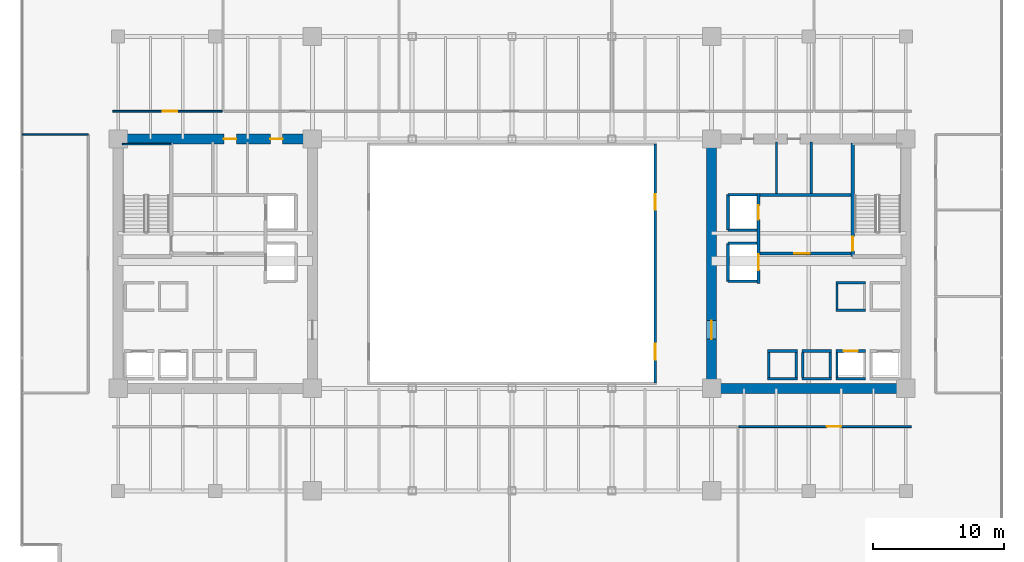
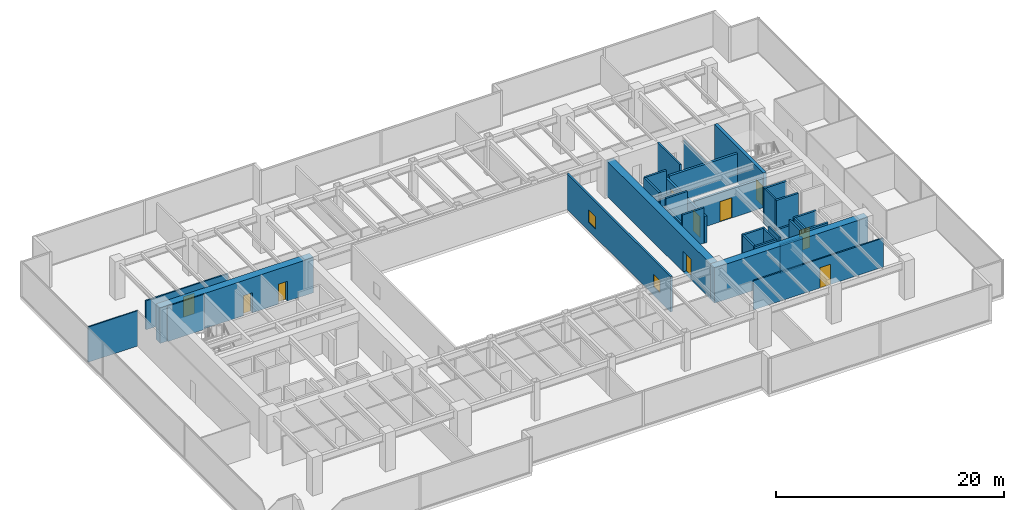
# One storey, part 30 of 35: 34 walls, 10 doors, 2 windows, 12 openings.
"""IFC4 building model written with IfcOpenShell, lengths in metres."""

from ifc_helpers import new_model, si_unit, direction, frame, frame_2d, origin, place, context, subcontext, project, spatial, rectangle, extrude, source, transform, mapped, material, layer, layer_set, type_object, type_shapes, element, fill, save


model = new_model("IFC4")

# Units and contexts
model_context = context("Model", 3, precision=1e-05, world=origin(), true_north=direction((0.0, 1.0)))
body_context = subcontext(model_context, "Body", "Model", "MODEL_VIEW")
ifc_project = project(units=[si_unit("LENGTHUNIT", "METRE"), si_unit("AREAUNIT", "SQUARE_METRE"), si_unit("VOLUMEUNIT", "CUBIC_METRE"), si_unit("PLANEANGLEUNIT", "RADIAN"), si_unit("MASSUNIT", "GRAM", prefix="KILO")], contexts=[model_context])

# Site, building, storey
site_placement = place(None, origin())
site = spatial("IfcSite", under=ifc_project, at=site_placement, CompositionType="ELEMENT")
building_placement = place(site_placement, origin())
building = spatial("IfcBuilding", under=site, at=building_placement, Name="Haelvirn Gate Laboratories", CompositionType="ELEMENT")
storey_placement = place(building_placement, frame((0.0, 0.0, 70.300048828125)))
storey = spatial("IfcBuildingStorey", under=building, at=storey_placement, Name="L17", CompositionType="ELEMENT", Elevation=70.300048828125)

# Wall, openings, windows
ifc_material_1 = material(Name="Tempered fire-rated borosilicate glass & anodised aluminium", Category="aluminium")
ifc_layer_1 = layer(ifc_material_1, 0.195068359375, Name="IW-GLAZ-200")
ifc_layer_set_1 = layer_set([ifc_layer_1], Name="Tempered fire-rated borosilicate glass & anodised aluminium")
wall_type_1 = type_object("IfcWallType", Name="IW-GLAZ-200", PredefinedType="SOLIDWALL", material=ifc_layer_set_1)
wall_1_placement = place(storey_placement, frame((48.300048828125, 15.199951171875, 0.0), z_axis=(0.0, 0.0, 1.0), x_axis=(0.0, 1.0, 0.0)))
wall_1 = element("IfcWall", 1, at=wall_1_placement, inside=storey, type_object=wall_type_1, Name="L17 Interior Wall IW-L17-ATRIUM-E", PredefinedType="SOLIDWALL", context=body_context, shape_type="SweptSolid", body=[
    extrude(rectangle(XDim=18.199951171875, YDim=0.195068359375, at=frame_2d((9.10009765625, 0.0))), origin(), (0.0, 0.0, 1.0), 3.780029296875),
])
opening_1_placement = place(wall_1_placement, frame((1.800048828125, 0.0, 0.89990234375)))
opening_1 = element("IfcOpeningElement", 2, at=opening_1_placement, cuts=wall_1, Name="Opening W6", PredefinedType="OPENING", context=body_context, shape_type="SweptSolid", body=[
    extrude(rectangle(XDim=1.199951171875, YDim=1.35009765625, at=frame_2d((0.60009765625, 0.675048828125))), frame((0.0, 0.107421875, 0.0), z_axis=(0.0, -1.0, 0.0), x_axis=(1.0, 0.0, 0.0)), (0.0, 0.0, 1.0), 0.215087890625),
])
opening_2_placement = place(wall_1_placement, frame((13.199951171875, 0.0, 0.89990234375)))
opening_2 = element("IfcOpeningElement", 3, at=opening_2_placement, cuts=wall_1, Name="Opening W6", PredefinedType="OPENING", context=body_context, shape_type="SweptSolid", body=[
    extrude(rectangle(XDim=1.199951171875, YDim=1.35009765625, at=frame_2d((0.60009765625, 0.675048828125))), frame((0.0, 0.107421875, 0.0), z_axis=(0.0, -1.0, 0.0), x_axis=(1.0, 0.0, 0.0)), (0.0, 0.0, 1.0), 0.215087890625),
])
ifc_material_2 = material(Name="Fire-rated EI 120 borosilicate atrium vision glazing", Category="glass")
window_type = type_object("IfcWindowType", Name="WN-ATR-1200", PartitioningType="SINGLE_PANEL", PredefinedType="WINDOW", material=ifc_material_2)
shared_shape_1 = source(origin(), body_context, "Body", "SweptSolid", [
    extrude(rectangle(XDim=1.199951171875, YDim=1.35009765625, at=frame_2d((0.60009765625, 0.675048828125))), frame((0.0, 0.030029296875, 0.0), z_axis=(0.0, -1.0, 0.0), x_axis=(1.0, 0.0, 0.0)), (0.0, 0.0, 1.0), 0.06005859375),
])
type_shapes(window_type, [shared_shape_1])
window_1_placement = place(opening_1_placement, origin())
window_1 = element("IfcWindow", 4, at=window_1_placement, inside=storey, type_object=window_type, Name="L17 Atrium Observation Window 1", OverallHeight=1.35009765625, OverallWidth=1.199951171875, PartitioningType="SINGLE_PANEL", PredefinedType="WINDOW", context=body_context, shape_type="MappedRepresentation", body=[
    mapped(shared_shape_1, transform((0.0, 0.0, 0.0), scale=1.0)),
])
fill(opening_1, window_1)
window_2_placement = place(opening_2_placement, origin())
window_2 = element("IfcWindow", 5, at=window_2_placement, inside=storey, type_object=window_type, Name="L17 Atrium Observation Window 2", OverallHeight=1.35009765625, OverallWidth=1.199951171875, PartitioningType="SINGLE_PANEL", PredefinedType="WINDOW", context=body_context, shape_type="MappedRepresentation", body=[
    mapped(shared_shape_1, transform((0.0, 0.0, 0.0), scale=1.0)),
])
fill(opening_2, window_2)

# Wall
ifc_material_3 = material(Name="Lightweight acoustic gypsum board partition", Category="gypsum")
ifc_layer_2 = layer(ifc_material_3, 0.1201171875, Name="IW-PART-120")
ifc_layer_set_2 = layer_set([ifc_layer_2], Name="Lightweight acoustic gypsum board partition")
wall_type_2 = type_object("IfcWallType", Name="IW-PART-120", PredefinedType="PARTITIONING", material=ifc_layer_set_2)
wall_2_placement = place(storey_placement, frame((0.110107421875, 34.135009765625, 0.0), z_axis=(0.0, 0.0, 1.0), x_axis=(1.0, 0.0, 0.0)))
element("IfcWall", 6, at=wall_2_placement, inside=storey, type_object=wall_type_2, Name="L17 Interior Wall IW-L17-WCAP-N", PredefinedType="PARTITIONING", context=body_context, shape_type="SweptSolid", body=[
    extrude(rectangle(XDim=5.019775390625, YDim=0.1201171875, at=frame_2d((2.509765625, 0.0))), origin(), (0.0, 0.0, 1.0), 3.780029296875),
])

# Wall, opening, door
ifc_material_4 = material(Name="Acoustic mineral-wool gypsum board partition", Category="gypsum")
ifc_layer_3 = layer(ifc_material_4, 0.139892578125, Name="IW-PART-140")
ifc_layer_set_3 = layer_set([ifc_layer_3], Name="Acoustic mineral-wool gypsum board partition")
wall_type_3 = type_object("IfcWallType", Name="IW-PART-140", PredefinedType="PARTITIONING", material=ifc_layer_set_3)
wall_3_placement = place(storey_placement, frame((54.679931640625, 11.889892578125, 0.0), z_axis=(0.0, 0.0, 1.0), x_axis=(1.0, 0.0, 0.0)))
wall_3 = element("IfcWall", 7, at=wall_3_placement, inside=storey, type_object=wall_type_3, Name="L17 Interior Wall IW-L17-SCORR-04", PredefinedType="PARTITIONING", context=body_context, shape_type="SweptSolid", body=[
    extrude(rectangle(XDim=13.14013671875, YDim=0.139892578125, at=frame_2d((6.570068359375, 0.0))), origin(), (0.0, 0.0, 1.0), 3.114990234375),
])
opening_3_placement = place(wall_3_placement, frame((6.700439453125, 0.0, 0.0)))
opening_3 = element("IfcOpeningElement", 8, at=opening_3_placement, cuts=wall_3, Name="Opening D1", PredefinedType="OPENING", context=body_context, shape_type="SweptSolid", body=[
    extrude(rectangle(XDim=1.10009765625, YDim=2.179931640625, at=frame_2d((0.550048828125, 1.08984375))), frame((0.0, 0.080078125, 0.0), z_axis=(0.0, -1.0, 0.0), x_axis=(1.0, 0.0, 0.0)), (0.0, 0.0, 1.0), 0.159912109375),
])
ifc_material_5 = material(Name="Vision-panel acoustic solid-core timber lab door", Category="wood")
door_type_1 = type_object("IfcDoorType", Name="DR-LAB-1100", OperationType="NOTDEFINED", PredefinedType="DOOR", material=ifc_material_5)
shared_shape_2 = source(origin(), body_context, "Body", "SweptSolid", [
    extrude(rectangle(XDim=1.10009765625, YDim=2.179931640625, at=frame_2d((0.550048828125, 1.08984375))), frame((0.0, 0.02490234375, 0.0), z_axis=(0.0, -1.0, 0.0), x_axis=(1.0, 0.0, 0.0)), (0.0, 0.0, 1.0), 0.050048828125),
])
type_shapes(door_type_1, [shared_shape_2])
door_1_placement = place(opening_3_placement, origin())
door_1 = element("IfcDoor", 9, at=door_1_placement, inside=storey, type_object=door_type_1, Name="L17 Translational Data Office Door S4", OperationType="SINGLE_SWING_LEFT", OverallHeight=2.179931640625, OverallWidth=1.10009765625, PredefinedType="DOOR", context=body_context, shape_type="MappedRepresentation", body=[
    mapped(shared_shape_2, transform((0.0, 0.0, 0.0), scale=1.0)),
])
fill(opening_3, door_1)

wall_4_placement = place(storey_placement, frame((6.97998046875, 35.909912109375, 0.0), z_axis=(0.0, 0.0, 1.0), x_axis=(1.0, 0.0, 0.0)))
wall_4 = element("IfcWall", 10, at=wall_4_placement, inside=storey, type_object=wall_type_3, Name="L17 Interior Wall IW-L17-NCORR-01", PredefinedType="PARTITIONING", context=body_context, shape_type="SweptSolid", body=[
    extrude(rectangle(XDim=8.340087890625, YDim=0.139892578125, at=frame_2d((4.169921875, 0.0))), origin(), (0.0, 0.0, 1.0), 3.114990234375),
])
opening_4_placement = place(wall_4_placement, frame((3.816162109375, 0.0, 0.0)))
opening_4 = element("IfcOpeningElement", 11, at=opening_4_placement, cuts=wall_4, Name="Opening D1", PredefinedType="OPENING", context=body_context, shape_type="SweptSolid", body=[
    extrude(rectangle(XDim=1.10009765625, YDim=2.179931640625, at=frame_2d((0.550048828125, 1.08984375))), frame((0.0, 0.080078125, 0.0), z_axis=(0.0, -1.0, 0.0), x_axis=(1.0, 0.0, 0.0)), (0.0, 0.0, 1.0), 0.159912109375),
])
door_2_placement = place(opening_4_placement, origin())
door_2 = element("IfcDoor", 12, at=door_2_placement, inside=storey, type_object=door_type_1, Name="L17 Colloquium Conference Room Door N1", OperationType="SINGLE_SWING_LEFT", OverallHeight=2.179931640625, OverallWidth=1.10009765625, PredefinedType="DOOR", context=body_context, shape_type="MappedRepresentation", body=[
    mapped(shared_shape_2, transform((0.0, 0.0, 0.0), scale=1.0)),
])
fill(opening_4, door_2)

# Walls
ifc_material_6 = material(Name="Cement-board restroom plumbing chase wall", Category="gypsum")
ifc_layer_4 = layer(ifc_material_6, 0.155029296875, Name="IW-PLUMB-160")
ifc_layer_set_4 = layer_set([ifc_layer_4], Name="Cement-board restroom plumbing chase wall")
wall_type_4 = type_object("IfcWallType", Name="IW-PLUMB-160", PredefinedType="PLUMBINGWALL", material=ifc_layer_set_4)
wall_5_placement = place(storey_placement, frame((60.18994140625, 29.64990234375, 0.0), z_axis=(0.0, 0.0, 1.0), x_axis=(0.0, 1.0, 0.0)))
element("IfcWall", 13, at=wall_5_placement, inside=storey, type_object=wall_type_4, Name="L17 Interior Wall IW-L17-E-CDIV-0", PredefinedType="PLUMBINGWALL", context=body_context, shape_type="SweptSolid", body=[
    extrude(rectangle(XDim=3.93017578125, YDim=0.155029296875, at=frame_2d((1.965087890625, 0.0))), origin(), (0.0, 0.0, 1.0), 3.114990234375),
])
wall_6_placement = place(storey_placement, frame((57.56005859375, 29.64990234375, 0.0), z_axis=(0.0, 0.0, 1.0), x_axis=(0.0, 1.0, 0.0)))
element("IfcWall", 14, at=wall_6_placement, inside=storey, type_object=wall_type_4, Name="L17 Interior Wall IW-L17-E-CDIV-1", PredefinedType="PLUMBINGWALL", context=body_context, shape_type="SweptSolid", body=[
    extrude(rectangle(XDim=3.93017578125, YDim=0.155029296875, at=frame_2d((1.965087890625, 0.0))), origin(), (0.0, 0.0, 1.0), 3.780029296875),
])
ifc_material_7 = material(Name="Concrete C40/50", Category="concrete")
ifc_layer_5 = layer(ifc_material_7, 0.179931640625, Name="IW-SHAFT-180")
ifc_layer_set_5 = layer_set([ifc_layer_5], Name="Concrete C40/50")
wall_type_5 = type_object("IfcWallType", Name="IW-SHAFT-180", PredefinedType="SOLIDWALL", material=ifc_layer_set_5)
for number, where, z_axis, x_axis, name in (
    (15, (62.14990234375, 15.64990234375, 0.0), (0.0, 0.0, 1.0), (0.0, 1.0, 0.0), "L17 Interior Wall IW-L17-PL4-SD"),
    (16, (59.550048828125, 15.64990234375, 0.0), (0.0, 0.0, 1.0), (0.0, 1.0, 0.0), "L17 Interior Wall IW-L17-PL7-SD"),
    (17, (61.64990234375, 15.64990234375, 0.0), (0.0, 0.0, 1.0), (0.0, 1.0, 0.0), "L17 Interior Wall IW-L17-PL7-SDE"),
    (18, (56.949951171875, 15.64990234375, 0.0), (0.0, 0.0, 1.0), (0.0, 1.0, 0.0), "L17 Interior Wall IW-L17-PL8-SD"),
    (19, (59.050048828125, 15.64990234375, 0.0), (0.0, 0.0, 1.0), (0.0, 1.0, 0.0), "L17 Interior Wall IW-L17-PL8-SDE"),
):
    element("IfcWall", number, at=place(storey_placement, frame(where, z_axis=z_axis, x_axis=x_axis)), inside=storey, type_object=wall_type_5, Name=name, PredefinedType="SOLIDWALL", context=body_context, shape_type="SweptSolid", body=[
        extrude(rectangle(XDim=1.900146484375, YDim=0.179931640625, at=frame_2d((0.9501953125, 0.0))), origin(), (0.0, 0.0, 1.0), 3.780029296875),
    ])
wall_7_placement = place(storey_placement, frame((62.14990234375, 20.85009765625, 0.0), z_axis=(0.0, 0.0, 1.0), x_axis=(0.0, 1.0, 0.0)))
element("IfcWall", 20, at=wall_7_placement, inside=storey, type_object=wall_type_5, Name="L17 Interior Wall IW-L17-PL12-SD", PredefinedType="SOLIDWALL", context=body_context, shape_type="SweptSolid", body=[
    extrude(rectangle(XDim=1.89990234375, YDim=0.179931640625, at=frame_2d((0.949951171875, 0.0))), origin(), (0.0, 0.0, 1.0), 3.780029296875),
])

# Wall, opening, door
ifc_layer_6 = layer(ifc_material_7, 0.199951171875, Name="IW-SHAFT-200")
ifc_layer_set_6 = layer_set([ifc_layer_6], Name="Concrete C40/50")
wall_type_6 = type_object("IfcWallType", Name="IW-SHAFT-200", PredefinedType="SOLIDWALL", material=ifc_layer_set_6)
wall_8_placement = place(storey_placement, frame((62.070068359375, 17.64990234375, 0.0), z_axis=(0.0, 0.0, 1.0), x_axis=(1.0, 0.0, 0.0)))
wall_8 = element("IfcWall", 21, at=wall_8_placement, inside=storey, type_object=wall_type_6, Name="L17 Interior Wall IW-L17-PL4-FR", PredefinedType="SOLIDWALL", context=body_context, shape_type="SweptSolid", body=[
    extrude(rectangle(XDim=2.260009765625, YDim=0.199951171875, at=frame_2d((1.1298828125, 0.0))), origin(), (0.0, 0.0, 1.0), 3.780029296875),
])
opening_5_placement = place(wall_8_placement, frame((0.580078125, 0.0, 0.0)))
opening_5 = element("IfcOpeningElement", 22, at=opening_5_placement, cuts=wall_8, Name="Opening LD2", PredefinedType="OPENING", context=body_context, shape_type="SweptSolid", body=[
    extrude(rectangle(XDim=1.10009765625, YDim=2.219970703125, at=frame_2d((0.550048828125, 1.10986328125))), frame((0.0, 0.10986328125, 0.0), z_axis=(0.0, -1.0, 0.0), x_axis=(1.0, 0.0, 0.0)), (0.0, 0.0, 1.0), 0.219970703125),
])
ifc_material_8 = material(Name="Bronze stainless 316L sliding lift landing door")
door_type_2 = type_object("IfcDoorType", Name="DR-LD-1100", OperationType="NOTDEFINED", PredefinedType="USERDEFINED", material=ifc_material_8)
shared_shape_3 = source(origin(), body_context, "Body", "SweptSolid", [
    extrude(rectangle(XDim=1.10009765625, YDim=2.219970703125, at=frame_2d((0.550048828125, 1.10986328125))), frame((0.0, 0.02490234375, 0.0), z_axis=(0.0, -1.0, 0.0), x_axis=(1.0, 0.0, 0.0)), (0.0, 0.0, 1.0), 0.050048828125),
])
type_shapes(door_type_2, [shared_shape_3])
door_3_placement = place(opening_5_placement, origin())
door_3 = element("IfcDoor", 23, at=door_3_placement, inside=storey, type_object=door_type_2, Name="L17 Passenger Lift PL4 Landing Door", ObjectType="LANDING_DOOR", OperationType="SLIDING_TO_RIGHT", OverallHeight=2.219970703125, OverallWidth=1.10009765625, PredefinedType="USERDEFINED", context=body_context, shape_type="MappedRepresentation", body=[
    mapped(shared_shape_3, transform((0.0, 0.0, 0.0), scale=1.0)),
])
fill(opening_5, door_3)

# Walls
wall_9_placement = place(storey_placement, frame((62.070068359375, 15.550048828125, 0.0), z_axis=(0.0, 0.0, 1.0), x_axis=(1.0, 0.0, 0.0)))
element("IfcWall", 24, at=wall_9_placement, inside=storey, type_object=wall_type_6, Name="L17 Interior Wall IW-L17-PL4-BK", PredefinedType="SOLIDWALL", context=body_context, shape_type="SweptSolid", body=[
    extrude(rectangle(XDim=2.260009765625, YDim=0.199951171875, at=frame_2d((1.1298828125, 0.0))), origin(), (0.0, 0.0, 1.0), 3.780029296875),
])
for number, where, z_axis, x_axis, name in (
    (25, (59.469970703125, 17.64990234375, 0.0), (0.0, 0.0, 1.0), (1.0, 0.0, 0.0), "L17 Interior Wall IW-L17-PL7-FR"),
    (26, (59.469970703125, 15.550048828125, 0.0), (0.0, 0.0, 1.0), (1.0, 0.0, 0.0), "L17 Interior Wall IW-L17-PL7-BK"),
):
    element("IfcWall", number, at=place(storey_placement, frame(where, z_axis=z_axis, x_axis=x_axis)), inside=storey, type_object=wall_type_6, Name=name, PredefinedType="SOLIDWALL", context=body_context, shape_type="SweptSolid", body=[
        extrude(rectangle(XDim=2.260009765625, YDim=0.199951171875, at=frame_2d((1.1298828125, 0.0))), origin(), (0.0, 0.0, 1.0), 3.114990234375),
    ])
for number, where, z_axis, x_axis, name in (
    (27, (56.8701171875, 17.64990234375, 0.0), (0.0, 0.0, 1.0), (1.0, 0.0, 0.0), "L17 Interior Wall IW-L17-PL8-FR"),
    (28, (56.8701171875, 15.550048828125, 0.0), (0.0, 0.0, 1.0), (1.0, 0.0, 0.0), "L17 Interior Wall IW-L17-PL8-BK"),
):
    element("IfcWall", number, at=place(storey_placement, frame(where, z_axis=z_axis, x_axis=x_axis)), inside=storey, type_object=wall_type_6, Name=name, PredefinedType="SOLIDWALL", context=body_context, shape_type="SweptSolid", body=[
        extrude(rectangle(XDim=2.259765625, YDim=0.199951171875, at=frame_2d((1.1298828125, 0.0))), origin(), (0.0, 0.0, 1.0), 3.780029296875),
    ])
for number, where, z_axis, x_axis, name in (
    (29, (62.070068359375, 20.75, 0.0), (0.0, 0.0, 1.0), (1.0, 0.0, 0.0), "L17 Interior Wall IW-L17-PL12-FR"),
    (30, (62.070068359375, 22.85009765625, 0.0), (0.0, 0.0, 1.0), (1.0, 0.0, 0.0), "L17 Interior Wall IW-L17-PL12-BK"),
):
    element("IfcWall", number, at=place(storey_placement, frame(where, z_axis=z_axis, x_axis=x_axis)), inside=storey, type_object=wall_type_6, Name=name, PredefinedType="SOLIDWALL", context=body_context, shape_type="SweptSolid", body=[
        extrude(rectangle(XDim=2.260009765625, YDim=0.199951171875, at=frame_2d((1.1298828125, 0.0))), origin(), (0.0, 0.0, 1.0), 3.780029296875),
    ])
wall_10_placement = place(storey_placement, frame((53.85009765625, 26.85009765625, 0.0), z_axis=(0.0, 0.0, 1.0), x_axis=(0.0, 1.0, 0.0)))
element("IfcWall", 31, at=wall_10_placement, inside=storey, type_object=wall_type_6, Name="L17 Interior Wall IW-L17-FL2-BK", PredefinedType="SOLIDWALL", context=body_context, shape_type="SweptSolid", body=[
    extrude(rectangle(XDim=2.699951171875, YDim=0.199951171875, at=frame_2d((1.35009765625, 0.0))), origin(), (0.0, 0.0, 1.0), 3.780029296875),
])
wall_11_placement = place(storey_placement, frame((53.85009765625, 29.550048828125, 0.0), z_axis=(0.0, 0.0, 1.0), x_axis=(1.0, 0.0, 0.0)))
element("IfcWall", 32, at=wall_11_placement, inside=storey, type_object=wall_type_6, Name="L17 Interior Wall IW-L17-FL2-N", PredefinedType="SOLIDWALL", context=body_context, shape_type="SweptSolid", body=[
    extrude(rectangle(XDim=2.18994140625, YDim=0.199951171875, at=frame_2d((1.094970703125, 0.0))), origin(), (0.0, 0.0, 1.0), 3.780029296875),
])
wall_12_placement = place(storey_placement, frame((53.85009765625, 26.85009765625, 0.0), z_axis=(0.0, 0.0, 1.0), x_axis=(1.0, 0.0, 0.0)))
element("IfcWall", 33, at=wall_12_placement, inside=storey, type_object=wall_type_6, Name="L17 Interior Wall IW-L17-FL2-S", PredefinedType="SOLIDWALL", context=body_context, shape_type="SweptSolid", body=[
    extrude(rectangle(XDim=2.18994140625, YDim=0.199951171875, at=frame_2d((1.094970703125, 0.0))), origin(), (0.0, 0.0, 1.0), 3.177001953125),
])
wall_13_placement = place(storey_placement, frame((53.85009765625, 22.949951171875, 0.0), z_axis=(0.0, 0.0, 1.0), x_axis=(0.0, 1.0, 0.0)))
element("IfcWall", 34, at=wall_13_placement, inside=storey, type_object=wall_type_6, Name="L17 Interior Wall IW-L17-SL2-BK", PredefinedType="SOLIDWALL", context=body_context, shape_type="SweptSolid", body=[
    extrude(rectangle(XDim=2.900146484375, YDim=0.199951171875, at=frame_2d((1.4501953125, 0.0))), origin(), (0.0, 0.0, 1.0), 2.864990234375),
])
for number, where, z_axis, x_axis, name in (
    (35, (53.85009765625, 25.85009765625, 0.0), (0.0, 0.0, 1.0), (1.0, 0.0, 0.0), "L17 Interior Wall IW-L17-SL2-N"),
    (36, (53.85009765625, 22.949951171875, 0.0), (0.0, 0.0, 1.0), (1.0, 0.0, 0.0), "L17 Interior Wall IW-L17-SL2-S"),
):
    element("IfcWall", number, at=place(storey_placement, frame(where, z_axis=z_axis, x_axis=x_axis)), inside=storey, type_object=wall_type_6, Name=name, PredefinedType="SOLIDWALL", context=body_context, shape_type="SweptSolid", body=[
        extrude(rectangle(XDim=2.18994140625, YDim=0.199951171875, at=frame_2d((1.094970703125, 0.0))), origin(), (0.0, 0.0, 1.0), 3.780029296875),
    ])

# Wall, opening, door
ifc_layer_7 = layer(ifc_material_7, 0.239990234375, Name="IW-SHAFT-240")
ifc_layer_set_7 = layer_set([ifc_layer_7], Name="Concrete C40/50")
wall_type_7 = type_object("IfcWallType", Name="IW-SHAFT-240", PredefinedType="SOLIDWALL", material=ifc_layer_set_7)
wall_14_placement = place(storey_placement, frame((56.280029296875, 25.080078125, 0.0), z_axis=(0.0, 0.0, 1.0), x_axis=(1.0, 0.0, 0.0)))
wall_14 = element("IfcWall", 37, at=wall_14_placement, inside=storey, type_object=wall_type_7, Name="L17 Interior Wall IW-L17-E-FF-S", PredefinedType="SOLIDWALL", context=body_context, shape_type="SweptSolid", body=[
    extrude(rectangle(XDim=6.919921875, YDim=0.239990234375, at=frame_2d((3.4599609375, 0.0))), origin(), (0.0, 0.0, 1.0), 3.114990234375),
])
opening_6_placement = place(wall_14_placement, frame((2.60009765625, 0.0, 0.0)))
opening_6 = element("IfcOpeningElement", 38, at=opening_6_placement, cuts=wall_14, Name="Opening FD2", PredefinedType="OPENING", context=body_context, shape_type="SweptSolid", body=[
    extrude(rectangle(XDim=1.199951171875, YDim=2.159912109375, at=frame_2d((0.60009765625, 1.080078125))), frame((0.0, 0.1298828125, 0.0), z_axis=(0.0, -1.0, 0.0), x_axis=(1.0, 0.0, 0.0)), (0.0, 0.0, 1.0), 0.260009765625),
])
ifc_material_9 = material(Name="Fire-rated steel SM355 compartment door", Category="steel")
door_type_3 = type_object("IfcDoorType", Name="DR-FD-1200", OperationType="NOTDEFINED", PredefinedType="DOOR", material=ifc_material_9)
shared_shape_4 = source(origin(), body_context, "Body", "SweptSolid", [
    extrude(rectangle(XDim=1.199951171875, YDim=2.159912109375, at=frame_2d((0.60009765625, 1.080078125))), frame((0.0, 0.02490234375, 0.0), z_axis=(0.0, -1.0, 0.0), x_axis=(1.0, 0.0, 0.0)), (0.0, 0.0, 1.0), 0.050048828125),
])
type_shapes(door_type_3, [shared_shape_4])
door_4_placement = place(opening_6_placement, origin())
door_4 = element("IfcDoor", 39, at=door_4_placement, inside=storey, type_object=door_type_3, Name="L17 East Firefighting Lobby Door", OperationType="SINGLE_SWING_LEFT", OverallHeight=2.159912109375, OverallWidth=1.199951171875, PredefinedType="DOOR", context=body_context, shape_type="MappedRepresentation", body=[
    mapped(shared_shape_4, transform((0.0, 0.0, 0.0), scale=1.0)),
])
fill(opening_6, door_4)

# Wall
wall_15_placement = place(storey_placement, frame((56.280029296875, 29.52001953125, 0.0), z_axis=(0.0, 0.0, 1.0), x_axis=(1.0, 0.0, 0.0)))
element("IfcWall", 40, at=wall_15_placement, inside=storey, type_object=wall_type_7, Name="L17 Interior Wall IW-L17-E-FF-N", PredefinedType="SOLIDWALL", context=body_context, shape_type="SweptSolid", body=[
    extrude(rectangle(XDim=6.919921875, YDim=0.239990234375, at=frame_2d((3.4599609375, 0.0))), origin(), (0.0, 0.0, 1.0), 3.114990234375),
])

# Wall, openings, doors
wall_16_placement = place(storey_placement, frame((56.159912109375, 22.800048828125, 0.0), z_axis=(0.0, 0.0, 1.0), x_axis=(0.0, 1.0, 0.0)))
wall_16 = element("IfcWall", 41, at=wall_16_placement, inside=storey, type_object=wall_type_7, Name="L17 Interior Wall IW-L17-E-FF-E", PredefinedType="SOLIDWALL", context=body_context, shape_type="SweptSolid", body=[
    extrude(rectangle(XDim=6.849853515625, YDim=0.239990234375, at=frame_2d((3.4248046875, 0.0))), origin(), (0.0, 0.0, 1.0), 2.864990234375),
])
opening_7_placement = place(wall_16_placement, frame((4.85009765625, 0.0, 0.0)))
opening_7 = element("IfcOpeningElement", 42, at=opening_7_placement, cuts=wall_16, Name="Opening LD2", PredefinedType="OPENING", context=body_context, shape_type="SweptSolid", body=[
    extrude(rectangle(XDim=1.10009765625, YDim=2.219970703125, at=frame_2d((0.550048828125, 1.10986328125))), frame((0.0, 0.1298828125, 0.0), z_axis=(0.0, -1.0, 0.0), x_axis=(1.0, 0.0, 0.0)), (0.0, 0.0, 1.0), 0.260009765625),
])
opening_8_placement = place(wall_16_placement, frame((1.0, 0.0, 0.0)))
opening_8 = element("IfcOpeningElement", 43, at=opening_8_placement, cuts=wall_16, Name="Opening LD1", PredefinedType="OPENING", context=body_context, shape_type="SweptSolid", body=[
    extrude(rectangle(XDim=1.199951171875, YDim=2.219970703125, at=frame_2d((0.60009765625, 1.10986328125))), frame((0.0, 0.1298828125, 0.0), z_axis=(0.0, -1.0, 0.0), x_axis=(1.0, 0.0, 0.0)), (0.0, 0.0, 1.0), 0.260009765625),
])
door_5_placement = place(opening_7_placement, origin())
door_5 = element("IfcDoor", 44, at=door_5_placement, inside=storey, type_object=door_type_2, Name="L17 Firefighting Lift FL2 Landing Door", ObjectType="LANDING_DOOR", OperationType="SLIDING_TO_RIGHT", OverallHeight=2.219970703125, OverallWidth=1.10009765625, PredefinedType="USERDEFINED", context=body_context, shape_type="MappedRepresentation", body=[
    mapped(shared_shape_3, transform((0.0, 0.0, 0.0), scale=1.0)),
])
fill(opening_7, door_5)
ifc_material_10 = material(Name="Stainless steel 316L sliding goods landing door", Category="steel")
door_type_4 = type_object("IfcDoorType", Name="DR-LD-1200", OperationType="NOTDEFINED", PredefinedType="USERDEFINED", material=ifc_material_10)
shared_shape_5 = source(origin(), body_context, "Body", "SweptSolid", [
    extrude(rectangle(XDim=1.199951171875, YDim=2.219970703125, at=frame_2d((0.60009765625, 1.10986328125))), frame((0.0, 0.02490234375, 0.0), z_axis=(0.0, -1.0, 0.0), x_axis=(1.0, 0.0, 0.0)), (0.0, 0.0, 1.0), 0.050048828125),
])
type_shapes(door_type_4, [shared_shape_5])
door_6_placement = place(opening_8_placement, origin())
door_6 = element("IfcDoor", 45, at=door_6_placement, inside=storey, type_object=door_type_4, Name="L17 Service Lift SL2 Landing Door", ObjectType="LANDING_DOOR", OperationType="SLIDING_TO_LEFT", OverallHeight=2.219970703125, OverallWidth=1.199951171875, PredefinedType="USERDEFINED", context=body_context, shape_type="MappedRepresentation", body=[
    mapped(shared_shape_5, transform((0.0, 0.0, 0.0), scale=1.0)),
])
fill(opening_8, door_6)

ifc_material_11 = material(Name="Concrete C70/85", Category="concrete")
ifc_layer_8 = layer(ifc_material_11, 0.75, Name="SW-CORE-750")
ifc_layer_set_8 = layer_set([ifc_layer_8], Name="Concrete C70/85")
wall_type_8 = type_object("IfcWallType", Name="SW-CORE-750", PredefinedType="SHEAR", material=ifc_layer_set_8)
wall_17_placement = place(storey_placement, frame((7.02490234375, 33.800048828125, 0.0), z_axis=(0.0, 0.0, 1.0), x_axis=(1.0, 0.0, 0.0)))
wall_17 = element("IfcWall", 46, at=wall_17_placement, inside=storey, type_object=wall_type_8, Name="L17 W Core Shear Wall N", PredefinedType="SHEAR", context=body_context, shape_type="SweptSolid", body=[
    extrude(rectangle(XDim=15.550048828125, YDim=0.75, at=frame_2d((7.77490234375, 0.0))), origin(), (0.0, 0.0, 1.0), 3.780029296875),
])
opening_9_placement = place(wall_17_placement, frame((8.425048828125, 0.0, 0.0)))
opening_9 = element("IfcOpeningElement", 47, at=opening_9_placement, cuts=wall_17, Name="Opening FD4", PredefinedType="OPENING", context=body_context, shape_type="SweptSolid", body=[
    extrude(rectangle(XDim=0.949951171875, YDim=2.14990234375, at=frame_2d((0.47509765625, 1.074951171875))), frame((0.0, 0.385009765625, 0.0), z_axis=(0.0, -1.0, 0.0), x_axis=(1.0, 0.0, 0.0)), (0.0, 0.0, 1.0), 0.77001953125),
])
opening_10_placement = place(wall_17_placement, frame((11.965087890625, 0.0, 0.0)))
opening_10 = element("IfcOpeningElement", 48, at=opening_10_placement, cuts=wall_17, Name="Opening FD4", PredefinedType="OPENING", context=body_context, shape_type="SweptSolid", body=[
    extrude(rectangle(XDim=0.949951171875, YDim=2.14990234375, at=frame_2d((0.47509765625, 1.074951171875))), frame((0.0, 0.385009765625, 0.0), z_axis=(0.0, -1.0, 0.0), x_axis=(1.0, 0.0, 0.0)), (0.0, 0.0, 1.0), 0.77001953125),
])
ifc_material_12 = material(Name="Fire-rated steel SM355 core service door", Category="steel")
door_type_5 = type_object("IfcDoorType", Name="DR-FD-950", OperationType="NOTDEFINED", PredefinedType="DOOR", material=ifc_material_12)
shared_shape_6 = source(origin(), body_context, "Body", "SweptSolid", [
    extrude(rectangle(XDim=0.949951171875, YDim=2.14990234375, at=frame_2d((0.47509765625, 1.074951171875))), frame((0.0, 0.02490234375, 0.0), z_axis=(0.0, -1.0, 0.0), x_axis=(1.0, 0.0, 0.0)), (0.0, 0.0, 1.0), 0.050048828125),
])
type_shapes(door_type_5, [shared_shape_6])
door_7_placement = place(opening_9_placement, origin())
door_7 = element("IfcDoor", 49, at=door_7_placement, inside=storey, type_object=door_type_5, Name="L17 Accessible Restroom Fire Door", OperationType="SINGLE_SWING_RIGHT", OverallHeight=2.14990234375, OverallWidth=0.949951171875, PredefinedType="DOOR", context=body_context, shape_type="MappedRepresentation", body=[
    mapped(shared_shape_6, transform((0.0, 0.0, 0.0), scale=1.0)),
])
fill(opening_9, door_7)
door_8_placement = place(opening_10_placement, origin())
door_8 = element("IfcDoor", 50, at=door_8_placement, inside=storey, type_object=door_type_5, Name="L17 Staff Restroom Fire Door", OperationType="SINGLE_SWING_LEFT", OverallHeight=2.14990234375, OverallWidth=0.949951171875, PredefinedType="DOOR", context=body_context, shape_type="MappedRepresentation", body=[
    mapped(shared_shape_6, transform((0.0, 0.0, 0.0), scale=1.0)),
])
fill(opening_10, door_8)

# Wall
wall_18_placement = place(storey_placement, frame((52.22509765625, 14.800048828125, 0.0), z_axis=(0.0, 0.0, 1.0), x_axis=(1.0, 0.0, 0.0)))
element("IfcWall", 51, at=wall_18_placement, inside=storey, type_object=wall_type_8, Name="L17 E Core Shear Wall S", PredefinedType="SHEAR", context=body_context, shape_type="SweptSolid", body=[
    extrude(rectangle(XDim=15.5498046875, YDim=0.75, at=frame_2d((7.77490234375, 0.0))), origin(), (0.0, 0.0, 1.0), 3.780029296875),
])

# Wall, opening, door
wall_19_placement = place(storey_placement, frame((52.60009765625, 15.175048828125, 0.0), z_axis=(0.0, 0.0, 1.0), x_axis=(0.0, 1.0, 0.0)))
wall_19 = element("IfcWall", 52, at=wall_19_placement, inside=storey, type_object=wall_type_8, Name="L17 E Core Shear Wall W", PredefinedType="SHEAR", context=body_context, shape_type="SweptSolid", body=[
    extrude(rectangle(XDim=18.25, YDim=0.75, at=frame_2d((9.125, 0.0))), origin(), (0.0, 0.0, 1.0), 3.780029296875),
])
opening_11_placement = place(wall_19_placement, frame((3.375, 0.0, 0.0)))
opening_11 = element("IfcOpeningElement", 53, at=opening_11_placement, cuts=wall_19, Name="Opening FD1", PredefinedType="OPENING", context=body_context, shape_type="SweptSolid", body=[
    extrude(rectangle(XDim=1.419921875, YDim=2.199951171875, at=frame_2d((0.7099609375, 1.10009765625))), frame((0.0, 0.385009765625, 0.0), z_axis=(0.0, -1.0, 0.0), x_axis=(1.0, 0.0, 0.0)), (0.0, 0.0, 1.0), 0.77001953125),
])
ifc_material_13 = material(Name="Fire-rated double steel SM355 lobby door", Category="steel")
door_type_6 = type_object("IfcDoorType", Name="DR-FD-1400", OperationType="NOTDEFINED", PredefinedType="DOOR", material=ifc_material_13)
shared_shape_7 = source(origin(), body_context, "Body", "SweptSolid", [
    extrude(rectangle(XDim=1.419921875, YDim=2.199951171875, at=frame_2d((0.7099609375, 1.10009765625))), frame((0.0, 0.02490234375, 0.0), z_axis=(0.0, -1.0, 0.0), x_axis=(1.0, 0.0, 0.0)), (0.0, 0.0, 1.0), 0.050048828125),
])
type_shapes(door_type_6, [shared_shape_7])
door_9_placement = place(opening_11_placement, origin())
door_9 = element("IfcDoor", 54, at=door_9_placement, inside=storey, type_object=door_type_6, Name="L17 East Core Lift Lobby Fire Door", OperationType="DOUBLE_DOOR_SINGLE_SWING", OverallHeight=2.199951171875, OverallWidth=1.419921875, PredefinedType="DOOR", context=body_context, shape_type="MappedRepresentation", body=[
    mapped(shared_shape_7, transform((0.0, 0.0, 0.0), scale=1.0)),
])
fill(opening_11, door_9)

# Wall
ifc_material_14 = material(Name="Concrete C50/60", Category="concrete")
ifc_layer_9 = layer(ifc_material_14, 0.1201171875, Name="SW-LINER-120")
ifc_layer_set_9 = layer_set([ifc_layer_9], Name="Concrete C50/60")
wall_type_9 = type_object("IfcWallType", Name="SW-LINER-120", PredefinedType="SOLIDWALL", material=ifc_layer_set_9)
wall_20_placement = place(storey_placement, frame((7.72998046875, 33.39990234375, 0.0), z_axis=(0.0, 0.0, 1.0), x_axis=(1.0, 0.0, 0.0)))
element("IfcWall", 55, at=wall_20_placement, inside=storey, type_object=wall_type_9, Name="L17 W Core Stair Shaft Liner Wall N", PredefinedType="SOLIDWALL", context=body_context, shape_type="SweptSolid", body=[
    extrude(rectangle(XDim=3.719970703125, YDim=0.1201171875, at=frame_2d((1.85986328125, 0.0))), origin(), (0.0, 0.0, 1.0), 3.780029296875),
])

# Wall, opening, door
ifc_layer_10 = layer(ifc_material_14, 0.300048828125, Name="SW-STAIR-300")
ifc_layer_set_10 = layer_set([ifc_layer_10], Name="Concrete C50/60")
wall_type_10 = type_object("IfcWallType", Name="SW-STAIR-300", PredefinedType="SHEAR", material=ifc_layer_set_10)
wall_21_placement = place(storey_placement, frame((63.35009765625, 24.85009765625, 0.0), z_axis=(0.0, 0.0, 1.0), x_axis=(0.0, 1.0, 0.0)))
wall_21 = element("IfcWall", 56, at=wall_21_placement, inside=storey, type_object=wall_type_10, Name="L17 E Core Stair Shaft Structural Wall IN", PredefinedType="SHEAR", context=body_context, shape_type="SweptSolid", body=[
    extrude(rectangle(XDim=8.6298828125, YDim=0.300048828125, at=frame_2d((4.31494140625, 0.0))), origin(), (0.0, 0.0, 1.0), 3.780029296875),
])
opening_12_placement = place(wall_21_placement, frame((0.419921875, 0.0, 0.0)))
opening_12 = element("IfcOpeningElement", 57, at=opening_12_placement, cuts=wall_21, Name="Opening FD3", PredefinedType="OPENING", context=body_context, shape_type="SweptSolid", body=[
    extrude(rectangle(XDim=1.10009765625, YDim=2.14990234375, at=frame_2d((0.550048828125, 1.074951171875))), frame((0.0, 0.16015625, 0.0), z_axis=(0.0, -1.0, 0.0), x_axis=(1.0, 0.0, 0.0)), (0.0, 0.0, 1.0), 0.320068359375),
])
ifc_material_15 = material(Name="Fire-rated steel SM355 escape stair door", Category="steel")
door_type_7 = type_object("IfcDoorType", Name="DR-FD-1100", OperationType="NOTDEFINED", PredefinedType="DOOR", material=ifc_material_15)
shared_shape_8 = source(origin(), body_context, "Body", "SweptSolid", [
    extrude(rectangle(XDim=1.10009765625, YDim=2.14990234375, at=frame_2d((0.550048828125, 1.074951171875))), frame((0.0, 0.02490234375, 0.0), z_axis=(0.0, -1.0, 0.0), x_axis=(1.0, 0.0, 0.0)), (0.0, 0.0, 1.0), 0.050048828125),
])
type_shapes(door_type_7, [shared_shape_8])
door_10_placement = place(opening_12_placement, origin())
door_10 = element("IfcDoor", 58, at=door_10_placement, inside=storey, type_object=door_type_7, Name="L17 Escape Stair ST2 Fire Door", OperationType="SINGLE_SWING_RIGHT", OverallHeight=2.14990234375, OverallWidth=1.10009765625, PredefinedType="DOOR", context=body_context, shape_type="MappedRepresentation", body=[
    mapped(shared_shape_8, transform((0.0, 0.0, 0.0), scale=1.0)),
])
fill(opening_12, door_10)

save(model, "model.ifc")
